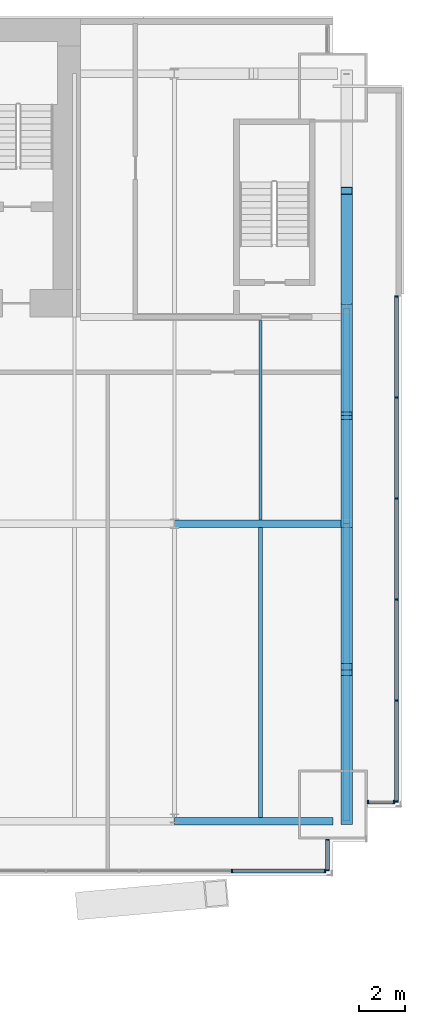
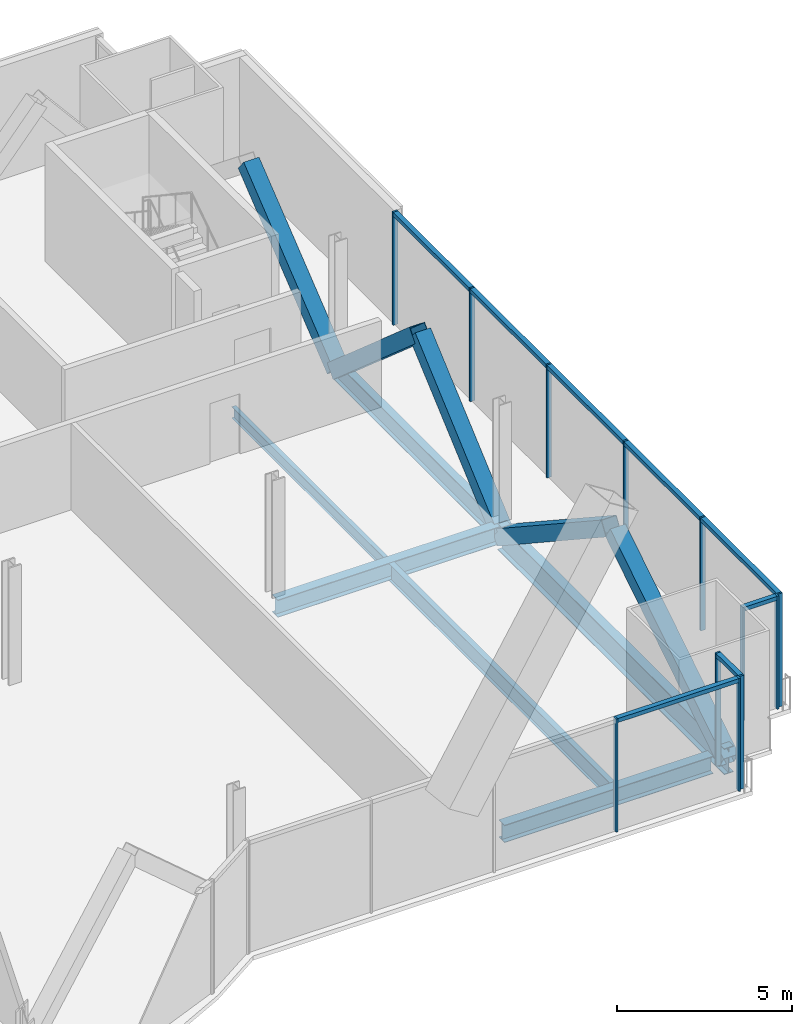
# One storey, part 12 of 21: 25 members, 6 beams, 4 elements without a shape of their own.
"""IFC4 building model written with IfcOpenShell, lengths in metres."""

from ifc_helpers import new_model, si_unit, direction, frame, origin, origin_2d, place, context, subcontext, project, spatial, rectangle, hollow_rectangle, i_section, extrude, material, material_profile, profile_set, type_object, element, aggregate, save


model = new_model("IFC4")

# Units and contexts
model_context = context("Model", 3, precision=1e-05, world=origin(), true_north=direction((0.0, 1.0)))
body_context = subcontext(model_context, "Body", "Model", "MODEL_VIEW")
ifc_project = project(units=[si_unit("LENGTHUNIT", "METRE"), si_unit("AREAUNIT", "SQUARE_METRE"), si_unit("VOLUMEUNIT", "CUBIC_METRE"), si_unit("PLANEANGLEUNIT", "RADIAN"), si_unit("MASSUNIT", "GRAM", prefix="KILO")], contexts=[model_context])

# Site, building, storey
site_placement = place(None, origin())
site = spatial("IfcSite", under=ifc_project, at=site_placement, CompositionType="ELEMENT")
building_placement = place(site_placement, origin())
building = spatial("IfcBuilding", under=site, at=building_placement, Name="Bicima Exchange Tower", CompositionType="ELEMENT")
storey_placement = place(building_placement, frame((0.0, 0.0, 118.60009765625)))
storey = spatial("IfcBuildingStorey", under=building, at=storey_placement, Name="L25", CompositionType="ELEMENT", Elevation=118.60009765625)

# Curtain wall, members
ifc_material_1 = material(Name="Anodised bronze aluminium", Category="aluminium")
curtain_wall_type_1 = type_object("IfcCurtainWallType", Name="End face glass wall", PredefinedType="NOTDEFINED", material=ifc_material_1)
curtain_wall_1_placement = place(storey_placement, origin())
curtain_wall_1 = element("IfcCurtainWall", 1, at=curtain_wall_1_placement, inside=storey, type_object=curtain_wall_type_1, Name="End face glass wall L25 run 19", PredefinedType="NOTDEFINED")
ifc_material_profile_1 = material_profile(ifc_material_1, rectangle(XDim=0.159912109375, YDim=0.06005859375, at=origin_2d()))
ifc_profile_set_1 = profile_set([ifc_material_profile_1], Name="Anodised bronze aluminium")
member_type_1 = type_object("IfcMemberType", Name="End face glass wall mullion 60 x 160", PredefinedType="MULLION", material=ifc_profile_set_1)
member_1_placement = place(storey_placement, frame((35.77001953125, -34.10400390625, 0.0), z_axis=(0.0, 0.0, 1.0), x_axis=(-1.0, 0.0, 0.0)))
member_1 = element("IfcMember", 2, at=member_1_placement, type_object=member_type_1, Name="End face glass wall mullion 1", PredefinedType="MULLION", context=body_context, shape_type="SweptSolid", body=[
    extrude(rectangle(XDim=0.159912109375, YDim=0.06005859375, at=origin_2d()), origin(), (0.0, 0.0, 1.0), 3.949951171875),
])
member_2_placement = place(storey_placement, frame((35.77001953125, -29.705078125, 0.0), z_axis=(0.0, 0.0, 1.0), x_axis=(-1.0, 0.0, 0.0)))
member_2 = element("IfcMember", 3, at=member_2_placement, type_object=member_type_1, Name="End face glass wall mullion 2", PredefinedType="MULLION", context=body_context, shape_type="SweptSolid", body=[
    extrude(rectangle(XDim=0.159912109375, YDim=0.06005859375, at=origin_2d()), origin(), (0.0, 0.0, 1.0), 3.949951171875),
])
member_3_placement = place(storey_placement, frame((35.77001953125, -25.306396484375, 0.0), z_axis=(0.0, 0.0, 1.0), x_axis=(-1.0, 0.0, 0.0)))
member_3 = element("IfcMember", 4, at=member_3_placement, type_object=member_type_1, Name="End face glass wall mullion 3", PredefinedType="MULLION", context=body_context, shape_type="SweptSolid", body=[
    extrude(rectangle(XDim=0.159912109375, YDim=0.06005859375, at=origin_2d()), origin(), (0.0, 0.0, 1.0), 3.949951171875),
])
member_4_placement = place(storey_placement, frame((35.77001953125, -20.90771484375, 0.0), z_axis=(0.0, 0.0, 1.0), x_axis=(-1.0, 0.0, 0.0)))
member_4 = element("IfcMember", 5, at=member_4_placement, type_object=member_type_1, Name="End face glass wall mullion 4", PredefinedType="MULLION", context=body_context, shape_type="SweptSolid", body=[
    extrude(rectangle(XDim=0.159912109375, YDim=0.06005859375, at=origin_2d()), origin(), (0.0, 0.0, 1.0), 3.949951171875),
])
member_5_placement = place(storey_placement, frame((35.77001953125, -16.5087890625, 0.0), z_axis=(0.0, 0.0, 1.0), x_axis=(-1.0, 0.0, 0.0)))
member_5 = element("IfcMember", 6, at=member_5_placement, type_object=member_type_1, Name="End face glass wall mullion 5", PredefinedType="MULLION", context=body_context, shape_type="SweptSolid", body=[
    extrude(rectangle(XDim=0.159912109375, YDim=0.06005859375, at=origin_2d()), origin(), (0.0, 0.0, 1.0), 3.949951171875),
])
member_6_placement = place(storey_placement, frame((35.77001953125, -12.110107421875, 0.0), z_axis=(0.0, 0.0, 1.0), x_axis=(-1.0, 0.0, 0.0)))
member_6 = element("IfcMember", 7, at=member_6_placement, type_object=member_type_1, Name="End face glass wall mullion 6", PredefinedType="MULLION", context=body_context, shape_type="SweptSolid", body=[
    extrude(rectangle(XDim=0.159912109375, YDim=0.06005859375, at=origin_2d()), origin(), (0.0, 0.0, 1.0), 3.949951171875),
])
ifc_material_profile_2 = material_profile(ifc_material_1, rectangle(XDim=0.159912109375, YDim=0.139892578125, at=origin_2d()))
ifc_profile_set_2 = profile_set([ifc_material_profile_2], Name="Anodised bronze aluminium")
member_type_2 = type_object("IfcMemberType", Name="End face glass wall transom 140 x 160", PredefinedType="USERDEFINED", material=ifc_profile_set_2)
member_7_placement = place(storey_placement, frame((35.77001953125, -34.073974609375, 3.8798828125), z_axis=(0.0, 1.0, 0.0), x_axis=(-1.0, 0.0, 0.0)))
member_7 = element("IfcMember", 8, at=member_7_placement, type_object=member_type_2, Name="End face glass wall transom 1.1", ObjectType="TRANSOM", PredefinedType="USERDEFINED", context=body_context, shape_type="SweptSolid", body=[
    extrude(rectangle(XDim=0.159912109375, YDim=0.139892578125, at=origin_2d()), origin(), (0.0, 0.0, 1.0), 4.3388671875),
])
member_8_placement = place(storey_placement, frame((35.77001953125, -29.67529296875, 3.8798828125), z_axis=(0.0, 1.0, 0.0), x_axis=(-1.0, 0.0, 0.0)))
member_8 = element("IfcMember", 9, at=member_8_placement, type_object=member_type_2, Name="End face glass wall transom 2.1", ObjectType="TRANSOM", PredefinedType="USERDEFINED", context=body_context, shape_type="SweptSolid", body=[
    extrude(rectangle(XDim=0.159912109375, YDim=0.139892578125, at=origin_2d()), origin(), (0.0, 0.0, 1.0), 4.3388671875),
])
member_9_placement = place(storey_placement, frame((35.77001953125, -25.2763671875, 3.8798828125), z_axis=(0.0, 1.0, 0.0), x_axis=(-1.0, 0.0, 0.0)))
member_9 = element("IfcMember", 10, at=member_9_placement, type_object=member_type_2, Name="End face glass wall transom 3.1", ObjectType="TRANSOM", PredefinedType="USERDEFINED", context=body_context, shape_type="SweptSolid", body=[
    extrude(rectangle(XDim=0.159912109375, YDim=0.139892578125, at=origin_2d()), origin(), (0.0, 0.0, 1.0), 4.3388671875),
])
member_10_placement = place(storey_placement, frame((35.77001953125, -20.877685546875, 3.8798828125), z_axis=(0.0, 1.0, 0.0), x_axis=(-1.0, 0.0, 0.0)))
member_10 = element("IfcMember", 11, at=member_10_placement, type_object=member_type_2, Name="End face glass wall transom 4.1", ObjectType="TRANSOM", PredefinedType="USERDEFINED", context=body_context, shape_type="SweptSolid", body=[
    extrude(rectangle(XDim=0.159912109375, YDim=0.139892578125, at=origin_2d()), origin(), (0.0, 0.0, 1.0), 4.3388671875),
])
member_11_placement = place(storey_placement, frame((35.77001953125, -16.478759765625, 3.8798828125), z_axis=(0.0, 1.0, 0.0), x_axis=(-1.0, 0.0, 0.0)))
member_11 = element("IfcMember", 12, at=member_11_placement, type_object=member_type_2, Name="End face glass wall transom 5.1", ObjectType="TRANSOM", PredefinedType="USERDEFINED", context=body_context, shape_type="SweptSolid", body=[
    extrude(rectangle(XDim=0.159912109375, YDim=0.139892578125, at=origin_2d()), origin(), (0.0, 0.0, 1.0), 4.3388671875),
])
aggregate(curtain_wall_1, [member_1, member_2, member_3, member_4, member_5, member_6, member_7, member_8, member_9, member_10, member_11])

# Beams
ifc_material_2 = material(Name="Steel ASTM A992 Gr 50", Category="steel")
ifc_material_profile_3 = material_profile(ifc_material_2, i_section(OverallWidth=0.256591796875, OverallDepth=0.693359375, WebThickness=0.014404296875, FlangeThickness=0.023681640625, at=origin_2d()))
ifc_profile_set_3 = profile_set([ifc_material_profile_3], Name="Steel ASTM A992 Gr 50")
beam_type_1 = type_object("IfcBeamType", Name="End girder W27x114", PredefinedType="BEAM", material=ifc_profile_set_3)
beam_1_placement = place(storey_placement, frame((33.60009765625, -12.60009765625, -0.496826171875), z_axis=(0.0, -1.0, 0.0), x_axis=(1.0, 0.0, 0.0)))
element("IfcBeam", 13, at=beam_1_placement, inside=storey, type_object=beam_type_1, Name="End girder", PredefinedType="BEAM", context=body_context, shape_type="SweptSolid", body=[
    extrude(i_section(OverallWidth=0.256591796875, OverallDepth=0.693359375, WebThickness=0.014404296875, FlangeThickness=0.023681640625, at=origin_2d()), origin(), (0.0, 0.0, 1.0), 9.39990234375),
])
ifc_material_profile_4 = material_profile(ifc_material_2, i_section(OverallWidth=0.3046875, OverallDepth=0.911865234375, WebThickness=0.015869140625, FlangeThickness=0.02392578125, at=origin_2d()))
ifc_profile_set_4 = profile_set([ifc_material_profile_4], Name="Steel ASTM A992 Gr 50")
beam_type_2 = type_object("IfcBeamType", Name="End girder W36x150", PredefinedType="BEAM", material=ifc_profile_set_4)
beam_2_placement = place(storey_placement, frame((33.60009765625, -22.0, -0.60595703125), z_axis=(0.0, -1.0, 0.0), x_axis=(1.0, 0.0, 0.0)))
element("IfcBeam", 14, at=beam_2_placement, inside=storey, type_object=beam_type_2, Name="End girder", PredefinedType="BEAM", context=body_context, shape_type="SweptSolid", body=[
    extrude(i_section(OverallWidth=0.3046875, OverallDepth=0.911865234375, WebThickness=0.015869140625, FlangeThickness=0.02392578125, at=origin_2d()), origin(), (0.0, 0.0, 1.0), 12.964111328125),
])
ifc_material_profile_5 = material_profile(ifc_material_2, i_section(OverallWidth=0.140380859375, OverallDepth=0.40380859375, WebThickness=0.007080078125, FlangeThickness=0.01123046875, at=origin_2d()))
ifc_profile_set_5 = profile_set([ifc_material_profile_5], Name="Steel ASTM A992 Gr 50")
beam_type_3 = type_object("IfcBeamType", Name="Floor beam W16x31", PredefinedType="JOIST", material=ifc_profile_set_5)
beam_3_placement = place(storey_placement, frame((29.85009765625, -13.15234375, -0.35205078125), z_axis=(0.0, -1.0, 0.0), x_axis=(1.0, 0.0, 0.0)))
element("IfcBeam", 15, at=beam_3_placement, inside=storey, type_object=beam_type_3, Name="Floor beam", PredefinedType="JOIST", context=body_context, shape_type="SweptSolid", body=[
    extrude(i_section(OverallWidth=0.140380859375, OverallDepth=0.40380859375, WebThickness=0.007080078125, FlangeThickness=0.01123046875, at=origin_2d()), origin(), (0.0, 0.0, 1.0), 8.68505859375),
])
ifc_material_profile_6 = material_profile(ifc_material_2, i_section(OverallWidth=0.177978515625, OverallDepth=0.599365234375, WebThickness=0.010009765625, FlangeThickness=0.012939453125, at=origin_2d()))
ifc_profile_set_6 = profile_set([ifc_material_profile_6], Name="Steel ASTM A992 Gr 50")
beam_type_4 = type_object("IfcBeamType", Name="Floor beam W24x55", PredefinedType="JOIST", material=ifc_profile_set_6)
beam_4_placement = place(storey_placement, frame((29.85009765625, -22.16259765625, -0.44970703125), z_axis=(0.0, -1.0, 0.0), x_axis=(1.0, 0.0, 0.0)))
element("IfcBeam", 16, at=beam_4_placement, inside=storey, type_object=beam_type_4, Name="Floor beam", PredefinedType="JOIST", context=body_context, shape_type="SweptSolid", body=[
    extrude(i_section(OverallWidth=0.177978515625, OverallDepth=0.599365234375, WebThickness=0.010009765625, FlangeThickness=0.012939453125, at=origin_2d()), origin(), (0.0, 0.0, 1.0), 12.638916015625),
])
ifc_material_profile_7 = material_profile(ifc_material_2, i_section(OverallWidth=0.3251953125, OverallDepth=0.612060546875, WebThickness=0.0126953125, FlangeThickness=0.01904296875, at=origin_2d()))
ifc_profile_set_7 = profile_set([ifc_material_profile_7], Name="Steel ASTM A992 Gr 50")
beam_type_5 = type_object("IfcBeamType", Name="Front girder W24x104", PredefinedType="BEAM", material=ifc_profile_set_7)
beam_5_placement = place(storey_placement, frame((26.10009765625, -34.964111328125, -0.456298828125), z_axis=(1.0, 0.0, 0.0), x_axis=(0.0, 1.0, 0.0)))
element("IfcBeam", 17, at=beam_5_placement, inside=storey, type_object=beam_type_5, Name="Front girder", PredefinedType="BEAM", context=body_context, shape_type="SweptSolid", body=[
    extrude(i_section(OverallWidth=0.3251953125, OverallDepth=0.612060546875, WebThickness=0.0126953125, FlangeThickness=0.01904296875, at=origin_2d()), origin(), (0.0, 0.0, 1.0), 6.89990234375),
])

# Curtain wall, members
curtain_wall_type_2 = type_object("IfcCurtainWallType", Name="Front glass wall", PredefinedType="NOTDEFINED", material=ifc_material_1)
curtain_wall_2_placement = place(storey_placement, origin())
curtain_wall_2 = element("IfcCurtainWall", 18, at=curtain_wall_2_placement, inside=storey, type_object=curtain_wall_type_2, Name="Front glass wall L25 run 16", PredefinedType="NOTDEFINED")
member_type_3 = type_object("IfcMemberType", Name="Front glass wall mullion 60 x 160", PredefinedType="MULLION", material=ifc_profile_set_1)
member_12_placement = place(storey_placement, frame((28.610595703125, -37.134033203125, 0.0), z_axis=(0.0, 0.0, 1.0), x_axis=(0.0, 1.0, 0.0)))
member_12 = element("IfcMember", 19, at=member_12_placement, type_object=member_type_3, Name="Front glass wall mullion 4", PredefinedType="MULLION", context=body_context, shape_type="SweptSolid", body=[
    extrude(rectangle(XDim=0.159912109375, YDim=0.06005859375, at=origin_2d()), origin(), (0.0, 0.0, 1.0), 3.949951171875),
])
member_13_placement = place(storey_placement, frame((32.659912109375, -37.134033203125, 0.0), z_axis=(0.0, 0.0, 1.0), x_axis=(0.0, 1.0, 0.0)))
member_13 = element("IfcMember", 20, at=member_13_placement, type_object=member_type_3, Name="Front glass wall mullion 5", PredefinedType="MULLION", context=body_context, shape_type="SweptSolid", body=[
    extrude(rectangle(XDim=0.159912109375, YDim=0.06005859375, at=origin_2d()), origin(), (0.0, 0.0, 1.0), 3.949951171875),
])

curtain_wall_3_placement = place(storey_placement, origin())
curtain_wall_3 = element("IfcCurtainWall", 21, at=curtain_wall_3_placement, inside=storey, type_object=curtain_wall_type_2, Name="Front glass wall L25 run 17", PredefinedType="NOTDEFINED")
member_14_placement = place(storey_placement, frame((32.77001953125, -37.10400390625, 0.0), z_axis=(0.0, 0.0, 1.0), x_axis=(-1.0, 0.0, 0.0)))
member_14 = element("IfcMember", 22, at=member_14_placement, type_object=member_type_3, Name="Front glass wall mullion 1", PredefinedType="MULLION", context=body_context, shape_type="SweptSolid", body=[
    extrude(rectangle(XDim=0.159912109375, YDim=0.06005859375, at=origin_2d()), origin(), (0.0, 0.0, 1.0), 3.949951171875),
])
member_15_placement = place(storey_placement, frame((32.77001953125, -35.77197265625, 0.0), z_axis=(0.0, 0.0, 1.0), x_axis=(-1.0, 0.0, 0.0)))
member_15 = element("IfcMember", 23, at=member_15_placement, type_object=member_type_3, Name="Front glass wall mullion 2", PredefinedType="MULLION", context=body_context, shape_type="SweptSolid", body=[
    extrude(rectangle(XDim=0.159912109375, YDim=0.06005859375, at=origin_2d()), origin(), (0.0, 0.0, 1.0), 3.949951171875),
])

curtain_wall_4_placement = place(storey_placement, origin())
curtain_wall_4 = element("IfcCurtainWall", 24, at=curtain_wall_4_placement, inside=storey, type_object=curtain_wall_type_2, Name="Front glass wall L25 run 18", PredefinedType="NOTDEFINED")
member_16_placement = place(storey_placement, frame((34.530029296875, -34.134033203125, 0.0), z_axis=(0.0, 0.0, 1.0), x_axis=(0.0, 1.0, 0.0)))
member_16 = element("IfcMember", 25, at=member_16_placement, type_object=member_type_3, Name="Front glass wall mullion 1", PredefinedType="MULLION", context=body_context, shape_type="SweptSolid", body=[
    extrude(rectangle(XDim=0.159912109375, YDim=0.06005859375, at=origin_2d()), origin(), (0.0, 0.0, 1.0), 3.949951171875),
])
member_17_placement = place(storey_placement, frame((35.659912109375, -34.134033203125, 0.0), z_axis=(0.0, 0.0, 1.0), x_axis=(0.0, 1.0, 0.0)))
member_17 = element("IfcMember", 26, at=member_17_placement, type_object=member_type_3, Name="Front glass wall mullion 2", PredefinedType="MULLION", context=body_context, shape_type="SweptSolid", body=[
    extrude(rectangle(XDim=0.159912109375, YDim=0.06005859375, at=origin_2d()), origin(), (0.0, 0.0, 1.0), 3.949951171875),
])

# Member
member_type_4 = type_object("IfcMemberType", Name="Front glass wall transom 140 x 160", PredefinedType="USERDEFINED", material=ifc_profile_set_2)
member_18_placement = place(storey_placement, frame((28.640380859375, -37.134033203125, 3.8798828125), z_axis=(1.0, 0.0, 0.0), x_axis=(0.0, 1.0, 0.0)))
member_18 = element("IfcMember", 27, at=member_18_placement, type_object=member_type_4, Name="Front glass wall transom 4.1", ObjectType="TRANSOM", PredefinedType="USERDEFINED", context=body_context, shape_type="SweptSolid", body=[
    extrude(rectangle(XDim=0.159912109375, YDim=0.139892578125, at=origin_2d()), origin(), (0.0, 0.0, 1.0), 3.989501953125),
])

aggregate(curtain_wall_2, [member_12, member_13, member_18])

member_19_placement = place(storey_placement, frame((32.77001953125, -37.073974609375, 3.8798828125), z_axis=(0.0, 1.0, 0.0), x_axis=(-1.0, 0.0, 0.0)))
member_19 = element("IfcMember", 28, at=member_19_placement, type_object=member_type_4, Name="Front glass wall transom 1.1", ObjectType="TRANSOM", PredefinedType="USERDEFINED", context=body_context, shape_type="SweptSolid", body=[
    extrude(rectangle(XDim=0.159912109375, YDim=0.139892578125, at=origin_2d()), origin(), (0.0, 0.0, 1.0), 1.27197265625),
])

aggregate(curtain_wall_3, [member_14, member_15, member_19])

member_20_placement = place(storey_placement, frame((34.56005859375, -34.134033203125, 3.8798828125), z_axis=(1.0, 0.0, 0.0), x_axis=(0.0, 1.0, 0.0)))
member_20 = element("IfcMember", 29, at=member_20_placement, type_object=member_type_4, Name="Front glass wall transom 1.1", ObjectType="TRANSOM", PredefinedType="USERDEFINED", context=body_context, shape_type="SweptSolid", body=[
    extrude(rectangle(XDim=0.159912109375, YDim=0.139892578125, at=origin_2d()), origin(), (0.0, 0.0, 1.0), 1.06982421875),
])

aggregate(curtain_wall_4, [member_16, member_17, member_20])

# Members
ifc_material_3 = material(Name="Steel ASTM A572 Gr 50", Category="steel")
ifc_material_profile_8 = material_profile(ifc_material_3, hollow_rectangle(XDim=0.508056640625, YDim=0.508056640625, WallThickness=0.0146484375, at=origin_2d()))
ifc_profile_set_8 = profile_set([ifc_material_profile_8], Name="Steel ASTM A572 Gr 50")
member_type_5 = type_object("IfcMemberType", Name="Mega brace HSS20x20x5/8", PredefinedType="BRACE", material=ifc_profile_set_8)
member_21_placement = place(storey_placement, frame((33.60009765625, -12.60009765625, -0.496826171875), z_axis=(0.0, 0.779374241895, 0.626558689247), x_axis=(-1.0, 0.0, 0.0)))
element("IfcMember", 30, at=member_21_placement, inside=storey, type_object=member_type_5, Name="Mega brace east end", PredefinedType="BRACE", context=body_context, shape_type="SweptSolid", body=[
    extrude(hollow_rectangle(XDim=0.508056640625, YDim=0.508056640625, WallThickness=0.0146484375, at=origin_2d()), origin(), (0.0, 0.0, 1.0), 6.5439453125),
])
for number, where, z_axis, x_axis, name in (
    (31, (33.60009765625, -12.60009765625, -0.496826171875), (0.0, -0.753557917662, 0.657381521439), (1.0, 0.0, 0.0), "Mega brace east end"),
    (32, (33.60009765625, -22.0, -0.496826171875), (0.0, 0.753557917662, 0.657381521439), (-1.0, 0.0, 0.0), "Mega brace east end"),
):
    element("IfcMember", number, at=place(storey_placement, frame(where, z_axis=z_axis, x_axis=x_axis)), inside=storey, type_object=member_type_5, Name=name, PredefinedType="BRACE", context=body_context, shape_type="SweptSolid", body=[
        extrude(hollow_rectangle(XDim=0.508056640625, YDim=0.508056640625, WallThickness=0.0146484375, at=origin_2d()), origin(), (0.0, 0.0, 1.0), 6.237060546875),
    ])
member_22_placement = place(storey_placement, frame((33.60009765625, -22.0, -0.60595703125), z_axis=(0.0, -0.835670310676, 0.549231401009), x_axis=(1.0, 0.0, 0.0)))
element("IfcMember", 33, at=member_22_placement, inside=storey, type_object=member_type_5, Name="Mega brace east end", PredefinedType="BRACE", context=body_context, shape_type="SweptSolid", body=[
    extrude(hollow_rectangle(XDim=0.508056640625, YDim=0.508056640625, WallThickness=0.0146484375, at=origin_2d()), origin(), (0.0, 0.0, 1.0), 7.464599609375),
])
member_23_placement = place(storey_placement, frame((33.60009765625, -34.964111328125, -0.60595703125), z_axis=(0.0, 0.845144574572, 0.53453778919), x_axis=(-1.0, 0.0, 0.0)))
element("IfcMember", 34, at=member_23_placement, inside=storey, type_object=member_type_5, Name="Mega brace east end", PredefinedType="BRACE", context=body_context, shape_type="SweptSolid", body=[
    extrude(hollow_rectangle(XDim=0.508056640625, YDim=0.508056640625, WallThickness=0.0146484375, at=origin_2d()), origin(), (0.0, 0.0, 1.0), 7.669921875),
])

# Beam
beam_type_6 = type_object("IfcBeamType", Name="Row girder W24x104", PredefinedType="BEAM", material=ifc_profile_set_7)
beam_6_placement = place(storey_placement, frame((26.10009765625, -22.0, -0.456298828125), z_axis=(1.0, 0.0, 0.0), x_axis=(0.0, 1.0, 0.0)))
element("IfcBeam", 35, at=beam_6_placement, inside=storey, type_object=beam_type_6, Name="Row girder", PredefinedType="BEAM", context=body_context, shape_type="SweptSolid", body=[
    extrude(i_section(OverallWidth=0.3251953125, OverallDepth=0.612060546875, WebThickness=0.0126953125, FlangeThickness=0.01904296875, at=origin_2d()), origin(), (0.0, 0.0, 1.0), 7.5),
])

save(model, "model.ifc")
